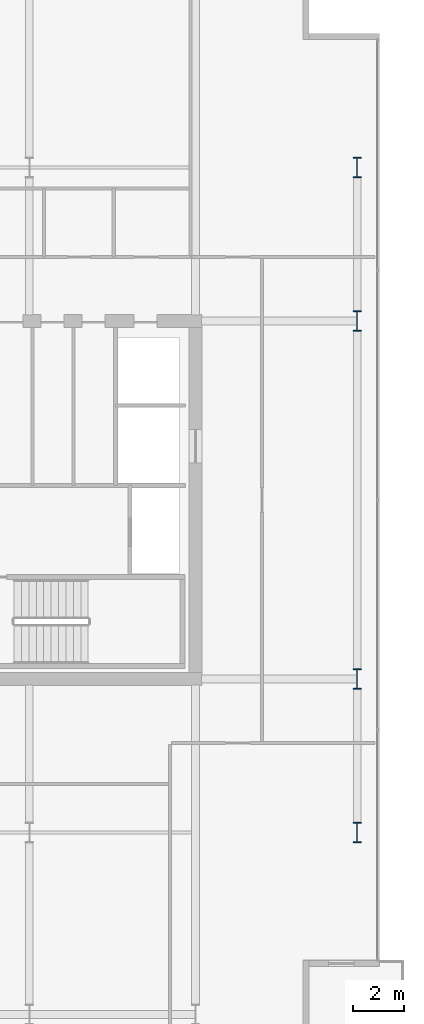
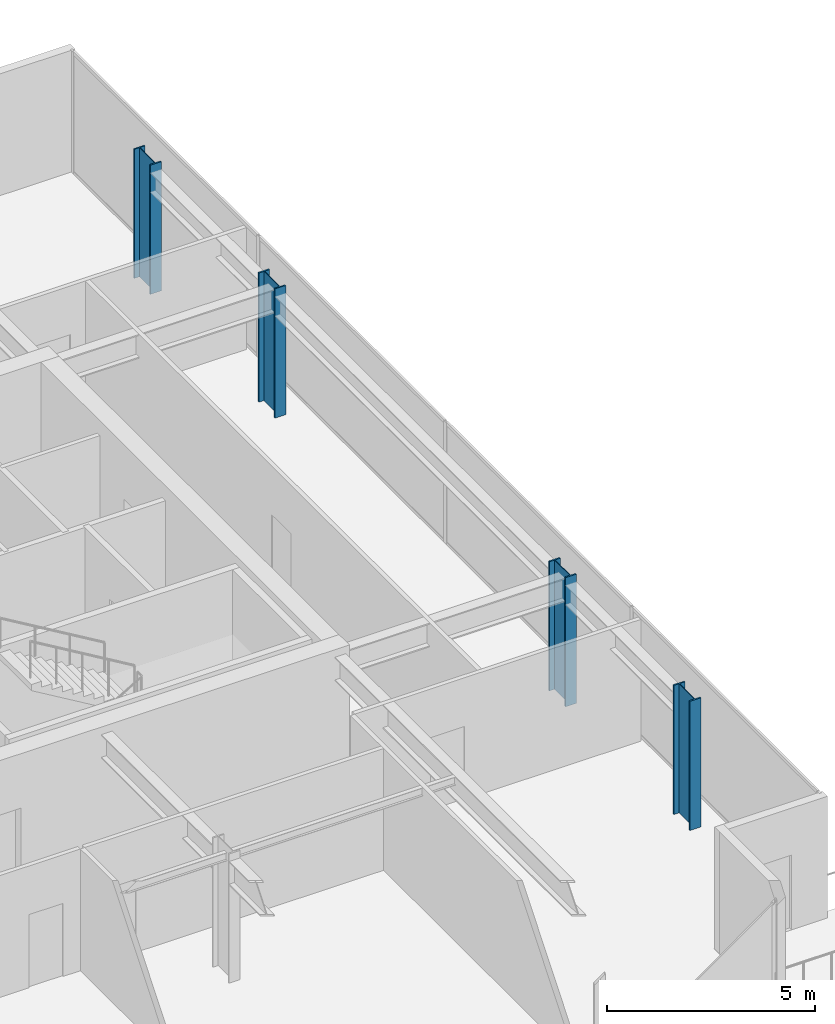
# One storey, part 2 of 24: 4 columns.
"""IFC4 building model written with IfcOpenShell, lengths in metres."""

from ifc_helpers import new_model, si_unit, direction, frame, origin, origin_2d, place, context, subcontext, project, spatial, i_section, extrude, material, material_profile, profile_set, type_object, element, save


model = new_model("IFC4")

# Units and contexts
model_context = context("Model", 3, precision=1e-05, world=origin(), true_north=direction((0.0, 1.0)))
body_context = subcontext(model_context, "Body", "Model", "MODEL_VIEW")
ifc_project = project(units=[si_unit("LENGTHUNIT", "METRE"), si_unit("AREAUNIT", "SQUARE_METRE"), si_unit("VOLUMEUNIT", "CUBIC_METRE"), si_unit("PLANEANGLEUNIT", "RADIAN"), si_unit("MASSUNIT", "GRAM", prefix="KILO")], contexts=[model_context])

# Site, building, storey
site_placement = place(None, origin())
site = spatial("IfcSite", under=ifc_project, at=site_placement, CompositionType="ELEMENT")
building_placement = place(site_placement, origin())
building = spatial("IfcBuilding", under=site, at=building_placement, Name="Putna Gate Headquarters", CompositionType="ELEMENT")
storey_placement = place(building_placement, frame((0.0, 0.0, 248.0)))
storey = spatial("IfcBuildingStorey", under=building, at=storey_placement, Name="L62", CompositionType="ELEMENT", Elevation=248.0)

# Columns
ifc_material = material(Name="Steel S460M", Category="steel")
ifc_material_profile = material_profile(ifc_material, i_section(OverallWidth=0.302978515625, OverallDepth=0.81396484375, WebThickness=0.02099609375, FlangeThickness=0.0400390625, at=origin_2d()), Name="Steel S460M")
ifc_profile_set = profile_set([ifc_material_profile], Name="Steel S460M")
column_type = type_object("IfcColumnType", Name="COL-STL-HEM800-EXT", PredefinedType="COLUMN", material=ifc_profile_set)
for number, where, z_axis, x_axis, name in (
    (1, (71.320068359375, 13.0, 0.0), (0.0, 0.0, 1.0), (1.0, 0.0, 0.0), "L62 Column CP-E13"),
    (2, (71.320068359375, 19.0, 0.0), (0.0, 0.0, 1.0), (1.0, 0.0, 0.0), "L62 Column CP-E19"),
    (3, (71.320068359375, 33.0, 0.0), (0.0, 0.0, 1.0), (1.0, 0.0, 0.0), "L62 Column CP-E33"),
    (4, (71.320068359375, 39.0, 0.0), (0.0, 0.0, 1.0), (1.0, 0.0, 0.0), "L62 Column CP-E39"),
):
    element("IfcColumn", number, at=place(storey_placement, frame(where, z_axis=z_axis, x_axis=x_axis)), inside=storey, type_object=column_type, Name=name, PredefinedType="COLUMN", context=body_context, shape_type="SweptSolid", body=[
        extrude(i_section(OverallWidth=0.302978515625, OverallDepth=0.81396484375, WebThickness=0.02099609375, FlangeThickness=0.0400390625, at=origin_2d()), origin(), (0.0, 0.0, 1.0), 3.800048828125),
    ])

save(model, "model.ifc")
